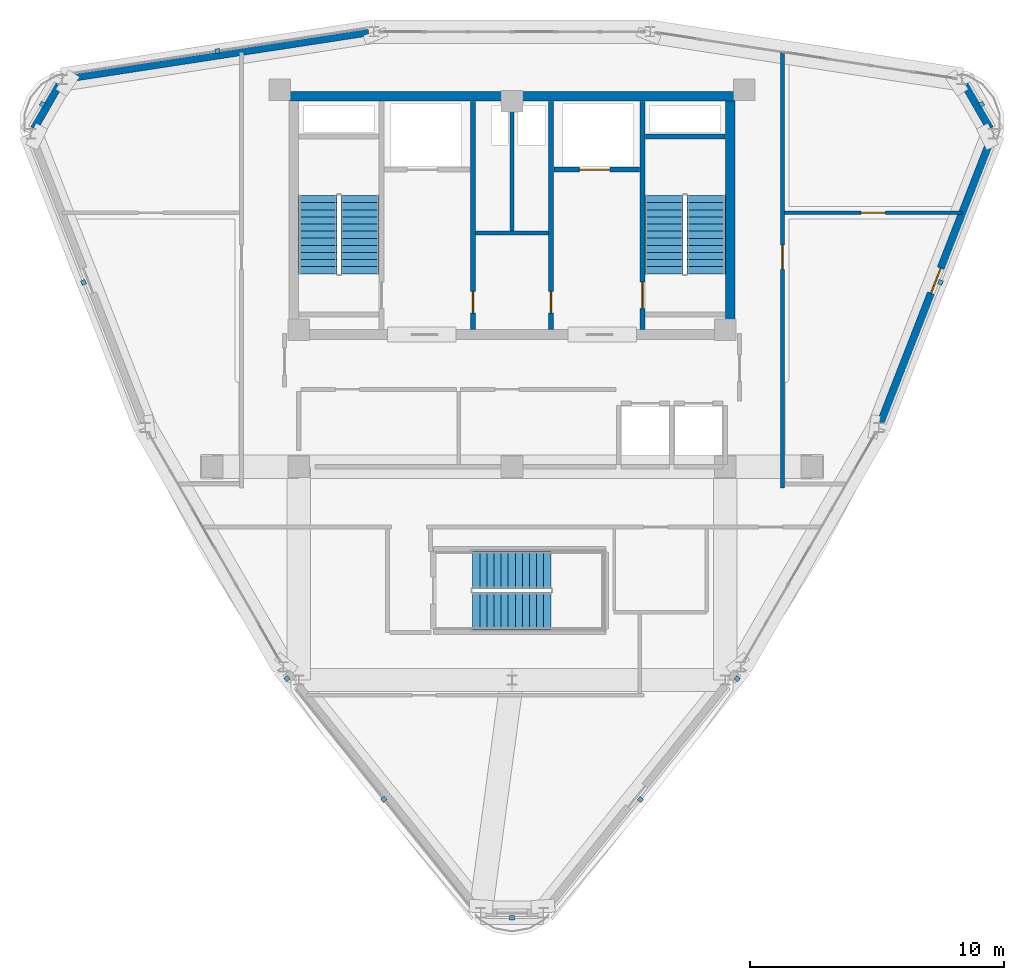
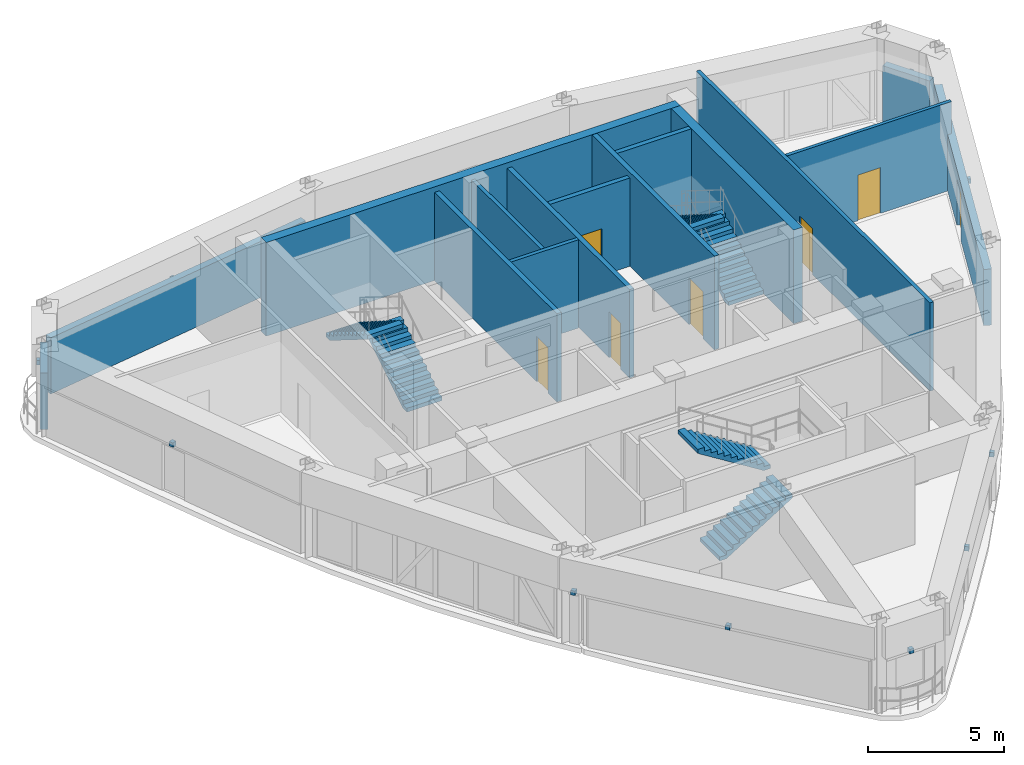
# One storey, part 14 of 16: 15 walls, 10 discrete accessories, 7 doors, 6 stair flights, 7 openings, 3 elements without a shape of their own.
"""IFC4 building model written with IfcOpenShell, lengths in metres."""

from ifc_helpers import new_model, si_unit, derived_unit, direction, frame, frame_2d, origin, origin_2d, place, context, subcontext, project, spatial, polyline, rectangle, outline, extrude, source, transform, mapped, material, layer, layer_set, type_object, element, fill, aggregate, save


model = new_model("IFC4")

# Units and contexts
model_context = context("Model", 3, precision=1e-05, world=origin(), true_north=direction((0.0, 1.0)))
body_context = subcontext(model_context, "Body", "Model", "MODEL_VIEW")
ifc_project = project(units=[si_unit("LENGTHUNIT", "METRE"), si_unit("AREAUNIT", "SQUARE_METRE"), si_unit("VOLUMEUNIT", "CUBIC_METRE"), si_unit("PLANEANGLEUNIT", "RADIAN"), si_unit("MASSUNIT", "GRAM", prefix="KILO"), derived_unit("THERMALTRANSMITTANCEUNIT", [(si_unit("POWERUNIT", "WATT"), 1), (si_unit("LENGTHUNIT", "METRE"), -2), (si_unit("THERMODYNAMICTEMPERATUREUNIT", "KELVIN"), -1)])], contexts=[model_context])

# Site, building, storey
site_placement = place(None, origin())
site = spatial("IfcSite", under=ifc_project, at=site_placement, CompositionType="ELEMENT")
building_placement = place(site_placement, origin())
building = spatial("IfcBuilding", under=site, at=building_placement, Name="Korsvarv Bourse and Concert Hall", CompositionType="ELEMENT")
storey_placement = place(building_placement, frame((0.0, 0.0, 283.800048828125)))
storey = spatial("IfcBuildingStorey", under=building, at=storey_placement, Name="L74", CompositionType="ELEMENT", Elevation=283.800048828125)

# Walls
ifc_material_1 = material(Name="Concrete C50/60", Category="concrete")
ifc_layer_1 = layer(ifc_material_1, 0.3798828125)
ifc_layer_set_1 = layer_set([ifc_layer_1], Name="Concrete C50/60")
wall_type_1 = type_object("IfcWallType", Name="WL-CORE-380", PredefinedType="SHEAR", material=ifc_layer_set_1)
wall_1_placement = place(storey_placement, frame((27.219970703125, 46.989990234375, 0.0), z_axis=(0.0, 0.0, 1.0), x_axis=(1.0, 0.0, 0.0)))
element("IfcWall", 1, at=wall_1_placement, inside=storey, type_object=wall_type_1, Name="L74 North Core Shear Wall", PredefinedType="SHEAR", context=body_context, shape_type="SweptSolid", body=[
    extrude(rectangle(XDim=17.56005859375, YDim=0.3798828125, at=frame_2d((8.780029296875, 0.0))), origin(), (0.0, 0.0, 1.0), 4.199951171875),
])
wall_2_placement = place(storey_placement, frame((44.590087890625, 37.800048828125, 0.0), z_axis=(0.0, 0.0, 1.0), x_axis=(0.0, 1.0, 0.0)))
element("IfcWall", 2, at=wall_2_placement, inside=storey, type_object=wall_type_1, Name="L74 East Core Shear Wall", PredefinedType="SHEAR", context=body_context, shape_type="SweptSolid", body=[
    extrude(rectangle(XDim=9.0, YDim=0.3798828125, at=frame_2d((4.5, 0.0))), origin(), (0.0, 0.0, 1.0), 4.199951171875),
])

# Wall, opening, door
wall_3_placement = place(storey_placement, frame((41.139892578125, 37.81005859375, 0.0), z_axis=(0.0, 0.0, 1.0), x_axis=(0.0, 1.0, 0.0)))
wall_3 = element("IfcWall", 3, at=wall_3_placement, inside=storey, type_object=wall_type_1, Name="L74 stair shaft structural wall W-L74-ST2-W", PredefinedType="SHEAR", context=body_context, shape_type="SweptSolid", body=[
    extrude(rectangle(XDim=8.97998046875, YDim=0.199951171875, at=frame_2d((4.489990234375, 0.0))), origin(), (0.0, 0.0, 1.0), 4.199951171875),
])
opening_1_placement = place(wall_3_placement, frame((0.820068359375, 0.0, 0.0)))
opening_1 = element("IfcOpeningElement", 4, at=opening_1_placement, cuts=wall_3, Name="Opening D-01", PredefinedType="OPENING", context=body_context, shape_type="SweptSolid", body=[
    extrude(rectangle(XDim=1.050048828125, YDim=2.10009765625, at=frame_2d((0.52490234375, 1.050048828125))), frame((0.0, 0.10986328125, 0.0), z_axis=(0.0, -1.0, 0.0), x_axis=(1.0, 0.0, 0.0)), (0.0, 0.0, 1.0), 0.219970703125),
])
ifc_material_2 = material(Name="Steel S355 fire door", Category="steel")
door_type_1 = type_object("IfcDoorType", Name="DR-FD60", OperationType="NOTDEFINED", PredefinedType="DOOR", material=ifc_material_2)
door_1_placement = place(opening_1_placement, frame((1.050048828125, 0.0, 0.0), z_axis=(0.0, 0.0, 1.0), x_axis=(-1.0, 0.0, 0.0)))
door_1 = element("IfcDoor", 5, at=door_1_placement, inside=storey, type_object=door_type_1, Name="L74 interior door DR-L74-ST2", OperationType="SINGLE_SWING_RIGHT", OverallHeight=2.10009765625, OverallWidth=1.050048828125, PredefinedType="DOOR", context=body_context, shape_type="SweptSolid", body=[
    extrude(rectangle(XDim=1.050048828125, YDim=2.10009765625, at=frame_2d((0.52490234375, 1.050048828125))), frame((0.0, 0.02490234375, 0.0), z_axis=(0.0, -1.0, 0.0), x_axis=(1.0, 0.0, 0.0)), (0.0, 0.0, 1.0), 0.050048828125),
])
fill(opening_1, door_1)

# Walls
wall_4_placement = place(storey_placement, frame((41.25, 45.39990234375, 0.0), z_axis=(0.0, 0.0, 1.0), x_axis=(1.0, 0.0, 0.0)))
element("IfcWall", 6, at=wall_4_placement, inside=storey, type_object=wall_type_1, Name="L74 stair shaft structural wall W-L74-ST2-N", PredefinedType="SHEAR", context=body_context, shape_type="SweptSolid", body=[
    extrude(rectangle(XDim=3.139892578125, YDim=0.199951171875, at=frame_2d((1.56982421875, 0.0))), origin(), (0.0, 0.0, 1.0), 4.199951171875),
])
ifc_material_3 = material(Name="Precast concrete C45/55 with terracotta rainscreen", Category="concrete")
ifc_layer_2 = layer(ifc_material_3, 0.300048828125)
ifc_layer_set_2 = layer_set([ifc_layer_2], Name="Precast concrete C45/55 with terracotta rainscreen")
wall_type_2 = type_object("IfcWallType", Name="WL-EXT-TC1", PredefinedType="SOLIDWALL", material=ifc_layer_set_2)
for number, where, z_axis, x_axis, name in (
    (7, (54.83056640625, 45.718505859375, 0.0), (0.0, 0.0, 1.0), (-0.499990466345, 0.866030907973, 0.0), "L74 terracotta exterior wall EW-L74-B01"),
    (8, (18.168212890625, 47.448486328125, 0.0), (0.0, 0.0, 1.0), (-0.499990466345, -0.866030907973, 0.0), "L74 terracotta exterior wall EW-L74-B05"),
):
    element("IfcWall", number, at=place(storey_placement, frame(where, z_axis=z_axis, x_axis=x_axis)), inside=storey, type_object=wall_type_2, Name=name, PredefinedType="SOLIDWALL", context=body_context, shape_type="SweptSolid", body=[
        extrude(rectangle(XDim=1.99755859375, YDim=0.300048828125, at=frame_2d((0.998779296875, 0.0))), origin(), (0.0, 0.0, 1.0), 2.52001953125),
    ])

# Wall, opening, door
wall_5_placement = place(storey_placement, frame((50.52197265625, 34.147705078125, 0.0), z_axis=(0.0, 0.0, 1.0), x_axis=(0.362913406034, 0.931822869284, 0.0)))
wall_5 = element("IfcWall", 9, at=wall_5_placement, inside=storey, type_object=wall_type_2, Name="L74 terracotta exterior wall EW-L74-B12", PredefinedType="SOLIDWALL", context=body_context, shape_type="SweptSolid", body=[
    extrude(rectangle(XDim=11.978515625, YDim=0.300048828125, at=frame_2d((5.9892578125, 0.0))), origin(), (0.0, 0.0, 1.0), 2.52001953125),
])
opening_2_placement = place(wall_5_placement, frame((5.46435546875, 0.0, 0.0)))
opening_2 = element("IfcOpeningElement", 10, at=opening_2_placement, cuts=wall_5, Name="Opening ED-02", PredefinedType="OPENING", context=body_context, shape_type="SweptSolid", body=[
    extrude(rectangle(XDim=1.050048828125, YDim=2.10009765625, at=frame_2d((0.52490234375, 1.050048828125))), frame((0.0, 0.16015625, 0.0), z_axis=(0.0, -1.0, 0.0), x_axis=(1.0, 0.0, 0.0)), (0.0, 0.0, 1.0), 0.320068359375),
])
ifc_material_4 = material(Name="Thermally broken anodised aluminium and laminated safety glass", Category="aluminium")
door_type_2 = type_object("IfcDoorType", Name="DR-EXT-TERR", OperationType="NOTDEFINED", PredefinedType="DOOR", material=ifc_material_4)
door_2_placement = place(opening_2_placement, frame((1.050048828125, 0.0, 0.0), z_axis=(0.0, 0.0, 1.0), x_axis=(-1.0, 0.0, 0.0)))
door_2 = element("IfcDoor", 11, at=door_2_placement, inside=storey, type_object=door_type_2, Name="L74 Sky Garden Terrace Access Door", OperationType="SINGLE_SWING_RIGHT", OverallHeight=2.10009765625, OverallWidth=1.050048828125, PredefinedType="DOOR", context=body_context, shape_type="SweptSolid", body=[
    extrude(rectangle(XDim=1.050048828125, YDim=2.10009765625, at=frame_2d((0.52490234375, 1.050048828125))), frame((0.0, 0.02490234375, 0.0), z_axis=(0.0, -1.0, 0.0), x_axis=(1.0, 0.0, 0.0)), (0.0, 0.0, 1.0), 0.050048828125),
])
fill(opening_2, door_2)

# Wall
ifc_material_5 = material(Name="Precast concrete C45/55 with fluted terracotta pier", Category="concrete")
ifc_layer_3 = layer(ifc_material_5, 0.280029296875)
ifc_layer_set_3 = layer_set([ifc_layer_3], Name="Precast concrete C45/55 with fluted terracotta pier")
wall_type_3 = type_object("IfcWallType", Name="WL-EXT-TC2", PredefinedType="SOLIDWALL", material=ifc_layer_set_3)
wall_6_placement = place(storey_placement, frame((30.3544921875, 49.50439453125, 0.0), z_axis=(0.0, 0.0, 1.0), x_axis=(-0.988436984166, -0.151632214035, 0.0)))
element("IfcWall", 12, at=wall_6_placement, inside=storey, type_object=wall_type_3, Name="L74 terracotta exterior wall EW-L74-B04", PredefinedType="SOLIDWALL", context=body_context, shape_type="SweptSolid", body=[
    extrude(rectangle(XDim=12.00146484375, YDim=0.280029296875, at=frame_2d((6.000732421875, 0.0))), origin(), (0.0, 0.0, 1.0), 2.52001953125),
])

# Wall, opening, door
ifc_material_6 = material(Name="Reinforced concrete blockwork C35/45 fire wall", Category="concrete")
ifc_layer_4 = layer(ifc_material_6, 0.199951171875)
ifc_layer_set_4 = layer_set([ifc_layer_4], Name="Reinforced concrete blockwork C35/45 fire wall")
wall_type_4 = type_object("IfcWallType", Name="WL-INT-EI120", PredefinedType="PARTITIONING", material=ifc_layer_set_4)
wall_7_placement = place(storey_placement, frame((37.64990234375, 44.10009765625, 0.0), z_axis=(0.0, 0.0, 1.0), x_axis=(1.0, 0.0, 0.0)))
wall_7 = element("IfcWall", 13, at=wall_7_placement, inside=storey, type_object=wall_type_4, Name="L74 interior partition wall W-L74-FF2-S", PredefinedType="PARTITIONING", context=body_context, shape_type="SweptSolid", body=[
    extrude(rectangle(XDim=3.380126953125, YDim=0.199951171875, at=frame_2d((1.68994140625, 0.0))), origin(), (0.0, 0.0, 1.0), 3.9599609375),
])
opening_3_placement = place(wall_7_placement, frame((1.0, 0.0, 0.0)))
opening_3 = element("IfcOpeningElement", 14, at=opening_3_placement, cuts=wall_7, Name="Opening LD-1", PredefinedType="OPENING", context=body_context, shape_type="SweptSolid", body=[
    extrude(rectangle(XDim=1.199951171875, YDim=2.10009765625, at=frame_2d((0.60009765625, 1.050048828125))), frame((0.0, 0.10986328125, 0.0), z_axis=(0.0, -1.0, 0.0), x_axis=(1.0, 0.0, 0.0)), (0.0, 0.0, 1.0), 0.219970703125),
])
ifc_material_7 = material(Name="Stainless Steel S355 firefighting lift landing door", Category="steel")
door_type_3 = type_object("IfcDoorType", Name="DR-LIFT-FF", OperationType="DOUBLE_DOOR_SLIDING", PredefinedType="DOOR", material=ifc_material_7)
door_3_placement = place(opening_3_placement, origin())
door_3 = element("IfcDoor", 15, at=door_3_placement, inside=storey, type_object=door_type_3, Name="L74 lift sliding landing door LD-L74-FF2", OperationType="DOUBLE_DOOR_SLIDING", OverallHeight=2.10009765625, OverallWidth=1.199951171875, PredefinedType="DOOR", context=body_context, shape_type="SweptSolid", body=[
    extrude(rectangle(XDim=1.199951171875, YDim=2.10009765625, at=frame_2d((0.60009765625, 1.050048828125))), frame((0.0, 0.02490234375, 0.0), z_axis=(0.0, -1.0, 0.0), x_axis=(1.0, 0.0, 0.0)), (0.0, 0.0, 1.0), 0.050048828125),
])
fill(opening_3, door_3)

wall_8_placement = place(storey_placement, frame((34.4599609375, 37.81005859375, 0.0), z_axis=(0.0, 0.0, 1.0), x_axis=(0.0, 1.0, 0.0)))
wall_8 = element("IfcWall", 16, at=wall_8_placement, inside=storey, type_object=wall_type_4, Name="L74 interior partition wall W-L74-CSB-W", PredefinedType="PARTITIONING", context=body_context, shape_type="SweptSolid", body=[
    extrude(rectangle(XDim=8.97998046875, YDim=0.199951171875, at=frame_2d((4.489990234375, 0.0))), origin(), (0.0, 0.0, 1.0), 3.9599609375),
])
opening_4_placement = place(wall_8_placement, frame((0.64990234375, 0.0, 0.0)))
opening_4 = element("IfcOpeningElement", 17, at=opening_4_placement, cuts=wall_8, Name="Opening D-05", PredefinedType="OPENING", context=body_context, shape_type="SweptSolid", body=[
    extrude(rectangle(XDim=0.85009765625, YDim=2.050048828125, at=frame_2d((0.425048828125, 1.02490234375))), frame((0.0, 0.10986328125, 0.0), z_axis=(0.0, -1.0, 0.0), x_axis=(1.0, 0.0, 0.0)), (0.0, 0.0, 1.0), 0.219970703125),
])
door_type_4 = type_object("IfcDoorType", Name="DR-FD60-850X2050", OperationType="NOTDEFINED", PredefinedType="DOOR", material=ifc_material_2)
door_4_placement = place(opening_4_placement, frame((0.85009765625, 0.0, 0.0), z_axis=(0.0, 0.0, 1.0), x_axis=(-1.0, 0.0, 0.0)))
door_4 = element("IfcDoor", 18, at=door_4_placement, inside=storey, type_object=door_type_4, Name="L74 interior door DR-L74-CSB1", OperationType="SINGLE_SWING_LEFT", OverallHeight=2.050048828125, OverallWidth=0.85009765625, PredefinedType="DOOR", context=body_context, shape_type="SweptSolid", body=[
    extrude(rectangle(XDim=0.85009765625, YDim=2.050048828125, at=frame_2d((0.425048828125, 1.02490234375))), frame((0.0, 0.02490234375, 0.0), z_axis=(0.0, -1.0, 0.0), x_axis=(1.0, 0.0, 0.0)), (0.0, 0.0, 1.0), 0.050048828125),
])
fill(opening_4, door_4)

wall_9_placement = place(storey_placement, frame((37.5400390625, 37.81005859375, 0.0), z_axis=(0.0, 0.0, 1.0), x_axis=(0.0, 1.0, 0.0)))
wall_9 = element("IfcWall", 19, at=wall_9_placement, inside=storey, type_object=wall_type_4, Name="L74 interior partition wall W-L74-CSB-E", PredefinedType="PARTITIONING", context=body_context, shape_type="SweptSolid", body=[
    extrude(rectangle(XDim=8.97998046875, YDim=0.199951171875, at=frame_2d((4.489990234375, 0.0))), origin(), (0.0, 0.0, 1.0), 3.9599609375),
])
opening_5_placement = place(wall_9_placement, frame((0.64990234375, 0.0, 0.0)))
opening_5 = element("IfcOpeningElement", 20, at=opening_5_placement, cuts=wall_9, Name="Opening D-05", PredefinedType="OPENING", context=body_context, shape_type="SweptSolid", body=[
    extrude(rectangle(XDim=0.85009765625, YDim=2.050048828125, at=frame_2d((0.425048828125, 1.02490234375))), frame((0.0, 0.10986328125, 0.0), z_axis=(0.0, -1.0, 0.0), x_axis=(1.0, 0.0, 0.0)), (0.0, 0.0, 1.0), 0.219970703125),
])
door_5_placement = place(opening_5_placement, origin())
door_5 = element("IfcDoor", 21, at=door_5_placement, inside=storey, type_object=door_type_4, Name="L74 interior door DR-L74-CSB2", OperationType="SINGLE_SWING_RIGHT", OverallHeight=2.050048828125, OverallWidth=0.85009765625, PredefinedType="DOOR", context=body_context, shape_type="SweptSolid", body=[
    extrude(rectangle(XDim=0.85009765625, YDim=2.050048828125, at=frame_2d((0.425048828125, 1.02490234375))), frame((0.0, 0.02490234375, 0.0), z_axis=(0.0, -1.0, 0.0), x_axis=(1.0, 0.0, 0.0)), (0.0, 0.0, 1.0), 0.050048828125),
])
fill(opening_5, door_5)

# Walls
ifc_material_8 = material(Name="Double-stud fire-rated acoustic partition", Category="gypsum")
ifc_layer_5 = layer(ifc_material_8, 0.159912109375)
ifc_layer_set_5 = layer_set([ifc_layer_5], Name="Double-stud fire-rated acoustic partition")
wall_type_5 = type_object("IfcWallType", Name="WL-INT-EI60", PredefinedType="PARTITIONING", material=ifc_layer_set_5)
wall_10_placement = place(storey_placement, frame((34.570068359375, 41.60009765625, 0.0), z_axis=(0.0, 0.0, 1.0), x_axis=(1.0, 0.0, 0.0)))
element("IfcWall", 22, at=wall_10_placement, inside=storey, type_object=wall_type_5, Name="L74 interior partition wall W-L74-K1", PredefinedType="PARTITIONING", context=body_context, shape_type="SweptSolid", body=[
    extrude(rectangle(XDim=2.85986328125, YDim=0.159912109375, at=frame_2d((1.429931640625, 0.0))), origin(), (0.0, 0.0, 1.0), 3.9599609375),
])
wall_11_placement = place(storey_placement, frame((36.0048828125, 41.68994140625, 0.0), z_axis=(0.0, 0.0, 1.0), x_axis=(0.0, 1.0, 0.0)))
element("IfcWall", 23, at=wall_11_placement, inside=storey, type_object=wall_type_5, Name="L74 interior partition wall W-L74-K2", PredefinedType="PARTITIONING", context=body_context, shape_type="SweptSolid", body=[
    extrude(rectangle(XDim=5.10009765625, YDim=0.159912109375, at=frame_2d((2.550048828125, 0.0))), origin(), (0.0, 0.0, 1.0), 3.9599609375),
])

# Wall, opening, door
wall_12_placement = place(storey_placement, frame((46.655029296875, 31.56005859375, 0.0), z_axis=(0.0, 0.0, 1.0), x_axis=(0.0, 1.0, 0.0)))
wall_12 = element("IfcWall", 24, at=wall_12_placement, inside=storey, type_object=wall_type_5, Name="L74 interior partition wall W-L74-LKCOR-01", PredefinedType="PARTITIONING", context=body_context, shape_type="SweptSolid", body=[
    extrude(rectangle(XDim=17.15576171875, YDim=0.159912109375, at=frame_2d((8.577880859375, 0.0))), origin(), (0.0, 0.0, 1.0), 3.9599609375),
])
opening_6_placement = place(wall_12_placement, frame((8.616455078125, 0.0, 0.0)))
opening_6 = element("IfcOpeningElement", 25, at=opening_6_placement, cuts=wall_12, Name="Opening D-02", PredefinedType="OPENING", context=body_context, shape_type="SweptSolid", body=[
    extrude(rectangle(XDim=0.949951171875, YDim=2.050048828125, at=frame_2d((0.47509765625, 1.02490234375))), frame((0.0, 0.08984375, 0.0), z_axis=(0.0, -1.0, 0.0), x_axis=(1.0, 0.0, 0.0)), (0.0, 0.0, 1.0), 0.179931640625),
])
ifc_material_9 = material(Name="Timber and steel acoustic fire door", Category="wood")
door_type_5 = type_object("IfcDoorType", Name="DR-FD30", OperationType="NOTDEFINED", PredefinedType="DOOR", material=ifc_material_9)
door_6_placement = place(opening_6_placement, origin())
door_6 = element("IfcDoor", 26, at=door_6_placement, inside=storey, type_object=door_type_5, Name="L74 interior door DR-L74-LKCOR-LKR11", OperationType="SINGLE_SWING_RIGHT", OverallHeight=2.050048828125, OverallWidth=0.949951171875, PredefinedType="DOOR", context=body_context, shape_type="SweptSolid", body=[
    extrude(rectangle(XDim=0.949951171875, YDim=2.050048828125, at=frame_2d((0.47509765625, 1.02490234375))), frame((0.0, 0.02490234375, 0.0), z_axis=(0.0, -1.0, 0.0), x_axis=(1.0, 0.0, 0.0)), (0.0, 0.0, 1.0), 0.050048828125),
])
fill(opening_6, door_6)

ifc_material_10 = material(Name="Insulated steel-stud office acoustic partition", Category="gypsum")
ifc_layer_6 = layer(ifc_material_10, 0.139892578125)
ifc_layer_set_6 = layer_set([ifc_layer_6], Name="Insulated steel-stud office acoustic partition")
wall_type_6 = type_object("IfcWallType", Name="WL-INT-P1", PredefinedType="PARTITIONING", material=ifc_layer_set_6)
wall_13_placement = place(storey_placement, frame((46.737060546875, 42.405029296875, 0.0), z_axis=(0.0, 0.0, 1.0), x_axis=(1.0, 0.0, 0.0)))
wall_13 = element("IfcWall", 27, at=wall_13_placement, inside=storey, type_object=wall_type_6, Name="L74 interior partition wall W-L74-LKCOR-11", PredefinedType="PARTITIONING", context=body_context, shape_type="SweptSolid", body=[
    extrude(rectangle(XDim=6.98095703125, YDim=0.139892578125, at=frame_2d((3.490478515625, 0.0))), origin(), (0.0, 0.0, 1.0), 3.9599609375),
])
opening_7_placement = place(wall_13_placement, frame((3.015380859375, 0.0, 0.0)))
opening_7 = element("IfcOpeningElement", 28, at=opening_7_placement, cuts=wall_13, Name="Opening D-03", PredefinedType="OPENING", context=body_context, shape_type="SweptSolid", body=[
    extrude(rectangle(XDim=0.949951171875, YDim=2.050048828125, at=frame_2d((0.47509765625, 1.02490234375))), frame((0.0, 0.080078125, 0.0), z_axis=(0.0, -1.0, 0.0), x_axis=(1.0, 0.0, 0.0)), (0.0, 0.0, 1.0), 0.159912109375),
])
ifc_material_11 = material(Name="Nordic oak acoustic office door", Category="wood")
door_type_6 = type_object("IfcDoorType", Name="DR-INT-1", OperationType="NOTDEFINED", PredefinedType="DOOR", material=ifc_material_11)
door_7_placement = place(opening_7_placement, origin())
door_7 = element("IfcDoor", 29, at=door_7_placement, inside=storey, type_object=door_type_6, Name="L74 interior door DR-L74-LKCOR-NWM12", OperationType="SINGLE_SWING_LEFT", OverallHeight=2.050048828125, OverallWidth=0.949951171875, PredefinedType="DOOR", context=body_context, shape_type="SweptSolid", body=[
    extrude(rectangle(XDim=0.949951171875, YDim=2.050048828125, at=frame_2d((0.47509765625, 1.02490234375))), frame((0.0, 0.02490234375, 0.0), z_axis=(0.0, -1.0, 0.0), x_axis=(1.0, 0.0, 0.0)), (0.0, 0.0, 1.0), 0.050048828125),
])
fill(opening_7, door_7)

# Stair, stair flights
ifc_material_12 = material(Name="Precast concrete C45/55", Category="concrete")
stair_type_1 = type_object("IfcStairType", Name="STR-TYPE-05", PredefinedType="HALF_TURN_STAIR", material=ifc_material_12)
stair_1_placement = place(storey_placement, origin())
stair_1 = element("IfcStair", 30, at=stair_1_placement, inside=storey, type_object=stair_type_1, Name="L74 Tower West Exit Stair ST-T1", PredefinedType="HALF_TURN_STAIR")
stair_flight_type_1 = type_object("IfcStairFlightType", Name="FLT-TYPE-05", PredefinedType="STRAIGHT", material=ifc_material_12)
stair_flight_1_placement = place(storey_placement, frame((30.010009765625, 40.0, 0.0), z_axis=(0.0, 0.0, 1.0), x_axis=(0.0, 1.0, 0.0)))
stair_flight_1 = element("IfcStairFlight", 31, at=stair_flight_1_placement, type_object=stair_flight_type_1, Name="ST-T1 flight 1", NumberOfRisers=12, NumberOfTreads=11, PredefinedType="STRAIGHT", RiserHeight=0.175, TreadLength=0.28, context=body_context, shape_type="SweptSolid", body=[
    extrude(outline(polyline([(0.0, 0.0), (0.0, 0.175048828125), (0.280029296875, 0.175048828125), (0.280029296875, 0.35009765625), (0.56005859375, 0.35009765625), (0.56005859375, 0.52490234375), (0.840087890625, 0.52490234375), (0.840087890625, 0.699951171875), (1.1201171875, 0.699951171875), (1.1201171875, 0.875), (1.39990234375, 0.875), (1.39990234375, 1.050048828125), (1.679931640625, 1.050048828125), (1.679931640625, 1.22509765625), (1.9599609375, 1.22509765625), (1.9599609375, 1.39990234375), (2.239990234375, 1.39990234375), (2.239990234375, 1.574951171875), (2.52001953125, 1.574951171875), (2.52001953125, 1.75), (2.800048828125, 1.75), (2.800048828125, 1.925048828125), (3.080078125, 1.925048828125), (3.080078125, 2.10009765625), (3.080078125, 1.748291015625), (0.28271484375, 0.0), (0.0, 0.0)])), frame((0.0, 0.75, 0.0), z_axis=(0.0, -1.0, 0.0), x_axis=(1.0, 0.0, 0.0)), (0.0, 0.0, 1.0), 1.5),
])
stair_flight_2_placement = place(storey_placement, frame((28.35009765625, 43.080078125, 2.099853515625), z_axis=(0.0, 0.0, 1.0), x_axis=(0.0, -1.0, 0.0)))
stair_flight_2 = element("IfcStairFlight", 32, at=stair_flight_2_placement, type_object=stair_flight_type_1, Name="ST-T1 flight 2", NumberOfRisers=12, NumberOfTreads=11, PredefinedType="STRAIGHT", RiserHeight=0.175, TreadLength=0.28, context=body_context, shape_type="SweptSolid", body=[
    extrude(outline(polyline([(0.0, 0.0), (0.0, 0.175048828125), (0.280029296875, 0.175048828125), (0.280029296875, 0.35009765625), (0.56005859375, 0.35009765625), (0.56005859375, 0.52490234375), (0.840087890625, 0.52490234375), (0.840087890625, 0.699951171875), (1.1201171875, 0.699951171875), (1.1201171875, 0.875), (1.39990234375, 0.875), (1.39990234375, 1.050048828125), (1.679931640625, 1.050048828125), (1.679931640625, 1.22509765625), (1.9599609375, 1.22509765625), (1.9599609375, 1.39990234375), (2.239990234375, 1.39990234375), (2.239990234375, 1.574951171875), (2.52001953125, 1.574951171875), (2.52001953125, 1.75), (2.800048828125, 1.75), (2.800048828125, 1.925048828125), (3.080078125, 1.925048828125), (3.080078125, 2.10009765625), (3.080078125, 1.748291015625), (0.28271484375, 0.0), (0.0, 0.0)])), frame((0.0, 0.75, 0.0), z_axis=(0.0, -1.0, 0.0), x_axis=(1.0, 0.0, 0.0)), (0.0, 0.0, 1.0), 1.5),
])
aggregate(stair_1, [stair_flight_1, stair_flight_2])

stair_2_placement = place(storey_placement, origin())
stair_2 = element("IfcStair", 33, at=stair_2_placement, inside=storey, type_object=stair_type_1, Name="L74 Tower East Exit Stair ST-T2", PredefinedType="HALF_TURN_STAIR")
stair_flight_3_placement = place(storey_placement, frame((43.64990234375, 40.0, 0.0), z_axis=(0.0, 0.0, 1.0), x_axis=(0.0, 1.0, 0.0)))
stair_flight_3 = element("IfcStairFlight", 34, at=stair_flight_3_placement, type_object=stair_flight_type_1, Name="ST-T2 flight 1", NumberOfRisers=12, NumberOfTreads=11, PredefinedType="STRAIGHT", RiserHeight=0.175, TreadLength=0.28, context=body_context, shape_type="SweptSolid", body=[
    extrude(outline(polyline([(0.0, 0.0), (0.0, 0.175048828125), (0.280029296875, 0.175048828125), (0.280029296875, 0.35009765625), (0.56005859375, 0.35009765625), (0.56005859375, 0.52490234375), (0.840087890625, 0.52490234375), (0.840087890625, 0.699951171875), (1.1201171875, 0.699951171875), (1.1201171875, 0.875), (1.39990234375, 0.875), (1.39990234375, 1.050048828125), (1.679931640625, 1.050048828125), (1.679931640625, 1.22509765625), (1.9599609375, 1.22509765625), (1.9599609375, 1.39990234375), (2.239990234375, 1.39990234375), (2.239990234375, 1.574951171875), (2.52001953125, 1.574951171875), (2.52001953125, 1.75), (2.800048828125, 1.75), (2.800048828125, 1.925048828125), (3.080078125, 1.925048828125), (3.080078125, 2.10009765625), (3.080078125, 1.748291015625), (0.28271484375, 0.0), (0.0, 0.0)])), frame((0.0, 0.75, 0.0), z_axis=(0.0, -1.0, 0.0), x_axis=(1.0, 0.0, 0.0)), (0.0, 0.0, 1.0), 1.5),
])
stair_flight_4_placement = place(storey_placement, frame((41.989990234375, 43.080078125, 2.099853515625), z_axis=(0.0, 0.0, 1.0), x_axis=(0.0, -1.0, 0.0)))
stair_flight_4 = element("IfcStairFlight", 35, at=stair_flight_4_placement, type_object=stair_flight_type_1, Name="ST-T2 flight 2", NumberOfRisers=12, NumberOfTreads=11, PredefinedType="STRAIGHT", RiserHeight=0.175, TreadLength=0.28, context=body_context, shape_type="SweptSolid", body=[
    extrude(outline(polyline([(0.0, 0.0), (0.0, 0.175048828125), (0.280029296875, 0.175048828125), (0.280029296875, 0.35009765625), (0.56005859375, 0.35009765625), (0.56005859375, 0.52490234375), (0.840087890625, 0.52490234375), (0.840087890625, 0.699951171875), (1.1201171875, 0.699951171875), (1.1201171875, 0.875), (1.39990234375, 0.875), (1.39990234375, 1.050048828125), (1.679931640625, 1.050048828125), (1.679931640625, 1.22509765625), (1.9599609375, 1.22509765625), (1.9599609375, 1.39990234375), (2.239990234375, 1.39990234375), (2.239990234375, 1.574951171875), (2.52001953125, 1.574951171875), (2.52001953125, 1.75), (2.800048828125, 1.75), (2.800048828125, 1.925048828125), (3.080078125, 1.925048828125), (3.080078125, 2.10009765625), (3.080078125, 1.748291015625), (0.28271484375, 0.0), (0.0, 0.0)])), frame((0.0, 0.75, 0.0), z_axis=(0.0, -1.0, 0.0), x_axis=(1.0, 0.0, 0.0)), (0.0, 0.0, 1.0), 1.5),
])
aggregate(stair_2, [stair_flight_3, stair_flight_4])

stair_type_2 = type_object("IfcStairType", Name="STR-TYPE-08", PredefinedType="HALF_TURN_STAIR", material=ifc_material_12)
stair_3_placement = place(storey_placement, origin())
stair_3 = element("IfcStair", 36, at=stair_3_placement, inside=storey, type_object=stair_type_2, Name="L74 Public Lookout Feature Stair ST-LK1", PredefinedType="HALF_TURN_STAIR")
stair_flight_type_2 = type_object("IfcStairFlightType", Name="FLT-TYPE-08", PredefinedType="STRAIGHT", material=ifc_material_12)
stair_flight_5_placement = place(storey_placement, frame((34.449951171875, 26.72509765625, 0.0), z_axis=(0.0, 0.0, 1.0), x_axis=(1.0, 0.0, 0.0)))
stair_flight_5 = element("IfcStairFlight", 37, at=stair_flight_5_placement, type_object=stair_flight_type_2, Name="ST-LK1 flight 1", NumberOfRisers=12, NumberOfTreads=11, PredefinedType="STRAIGHT", RiserHeight=0.175, TreadLength=0.28, context=body_context, shape_type="SweptSolid", body=[
    extrude(outline(polyline([(0.0, 0.0), (0.0, 0.175048828125), (0.280029296875, 0.175048828125), (0.280029296875, 0.35009765625), (0.56005859375, 0.35009765625), (0.56005859375, 0.52490234375), (0.840087890625, 0.52490234375), (0.840087890625, 0.699951171875), (1.1201171875, 0.699951171875), (1.1201171875, 0.875), (1.39990234375, 0.875), (1.39990234375, 1.050048828125), (1.679931640625, 1.050048828125), (1.679931640625, 1.22509765625), (1.9599609375, 1.22509765625), (1.9599609375, 1.39990234375), (2.239990234375, 1.39990234375), (2.239990234375, 1.574951171875), (2.52001953125, 1.574951171875), (2.52001953125, 1.75), (2.800048828125, 1.75), (2.800048828125, 1.925048828125), (3.080078125, 1.925048828125), (3.080078125, 2.10009765625), (3.080078125, 1.748291015625), (0.28271484375, 0.0), (0.0, 0.0)])), frame((0.0, 0.72509765625, 0.0), z_axis=(0.0, -1.0, 0.0), x_axis=(1.0, 0.0, 0.0)), (0.0, 0.0, 1.0), 1.449951171875),
])
stair_flight_6_placement = place(storey_placement, frame((37.530029296875, 28.3349609375, 2.099853515625), z_axis=(0.0, 0.0, 1.0), x_axis=(-1.0, 0.0, 0.0)))
stair_flight_6 = element("IfcStairFlight", 38, at=stair_flight_6_placement, type_object=stair_flight_type_2, Name="ST-LK1 flight 2", NumberOfRisers=12, NumberOfTreads=11, PredefinedType="STRAIGHT", RiserHeight=0.175, TreadLength=0.28, context=body_context, shape_type="SweptSolid", body=[
    extrude(outline(polyline([(0.0, 0.0), (0.0, 0.175048828125), (0.280029296875, 0.175048828125), (0.280029296875, 0.35009765625), (0.56005859375, 0.35009765625), (0.56005859375, 0.52490234375), (0.840087890625, 0.52490234375), (0.840087890625, 0.699951171875), (1.1201171875, 0.699951171875), (1.1201171875, 0.875), (1.39990234375, 0.875), (1.39990234375, 1.050048828125), (1.679931640625, 1.050048828125), (1.679931640625, 1.22509765625), (1.9599609375, 1.22509765625), (1.9599609375, 1.39990234375), (2.239990234375, 1.39990234375), (2.239990234375, 1.574951171875), (2.52001953125, 1.574951171875), (2.52001953125, 1.75), (2.800048828125, 1.75), (2.800048828125, 1.925048828125), (3.080078125, 1.925048828125), (3.080078125, 2.10009765625), (3.080078125, 1.748291015625), (0.28271484375, 0.0), (0.0, 0.0)])), frame((0.0, 0.72509765625, 0.0), z_axis=(0.0, -1.0, 0.0), x_axis=(1.0, 0.0, 0.0)), (0.0, 0.0, 1.0), 1.449951171875),
])
aggregate(stair_3, [stair_flight_5, stair_flight_6])

# Discrete accessories
ifc_material_13 = material(Name="Stainless Steel S355 facade outrigger bracket", Category="steel")
discrete_accessory_type = type_object("IfcDiscreteAccessoryType", Name="ACC-BRK-1", PredefinedType="BRACKET", material=ifc_material_13)
shared_shape = source(origin(), body_context, "Body", "SweptSolid", [
    extrude(rectangle(XDim=0.179931640625, YDim=0.179931640625, at=origin_2d()), origin(), (0.0, 0.0, 1.0), 0.199951171875),
])
for number, where, z_axis, x_axis, name in (
    (39, (54.49560546875, 46.678466796875, 2.259765625), (0.0, 0.0, 1.0), (-0.5, 0.866025403784, 0.0), "L74 terracotta sunshade bracket EW-L74-B01"),
    (40, (24.39599609375, 48.7724609375, 2.259765625), (0.0, 0.0, 1.0), (-0.9884410266, -0.151605860484, 0.0), "L74 terracotta sunshade bracket EW-L74-B04"),
    (41, (17.50439453125, 46.678466796875, 2.259765625), (0.0, 0.0, 1.0), (-0.5, -0.866025403784, 0.0), "L74 terracotta sunshade bracket EW-L74-B05"),
    (42, (19.12744140625, 39.65966796875, 2.259765625), (0.0, 0.0, 1.0), (0.362925986758, -0.931817969421, 0.0), "L74 terracotta sunshade bracket EW-L74-B06"),
    (43, (27.137451171875, 24.05859375, 2.259765625), (0.0, 0.0, 1.0), (0.625378857614, -0.780321270022, 0.0), "L74 terracotta sunshade bracket EW-L74-B08-1"),
    (44, (30.94970703125, 19.303955078125, 2.259765625), (0.0, 0.0, 1.0), (0.625515039842, -0.780212108937, 0.0), "L74 terracotta sunshade bracket EW-L74-B08-2"),
    (45, (36.0, 14.642822265625, 2.259765625), (0.0, 0.0, 1.0), (1.0, 0.0, 0.0), "L74 terracotta sunshade bracket EW-L74-B09"),
    (46, (41.05810546875, 19.297607421875, 2.259765625), (0.0, 0.0, 1.0), (0.625515039842, 0.780212108937, 0.0), "L74 terracotta sunshade bracket EW-L74-B10-1"),
    (47, (44.870361328125, 24.05224609375, 2.259765625), (0.0, 0.0, 1.0), (0.625378857614, 0.780321270022, 0.0), "L74 terracotta sunshade bracket EW-L74-B10-2"),
    (48, (52.87255859375, 39.65966796875, 2.259765625), (0.0, 0.0, 1.0), (0.362925986758, 0.931817969421, 0.0), "L74 terracotta sunshade bracket EW-L74-B12"),
):
    element("IfcDiscreteAccessory", number, at=place(storey_placement, frame(where, z_axis=z_axis, x_axis=x_axis)), inside=storey, type_object=discrete_accessory_type, Name=name, PredefinedType="BRACKET", context=body_context, shape_type="MappedRepresentation", body=[
        mapped(shared_shape, transform((0.0, 0.0, 0.0), scale=1.0)),
    ])

save(model, "model.ifc")
